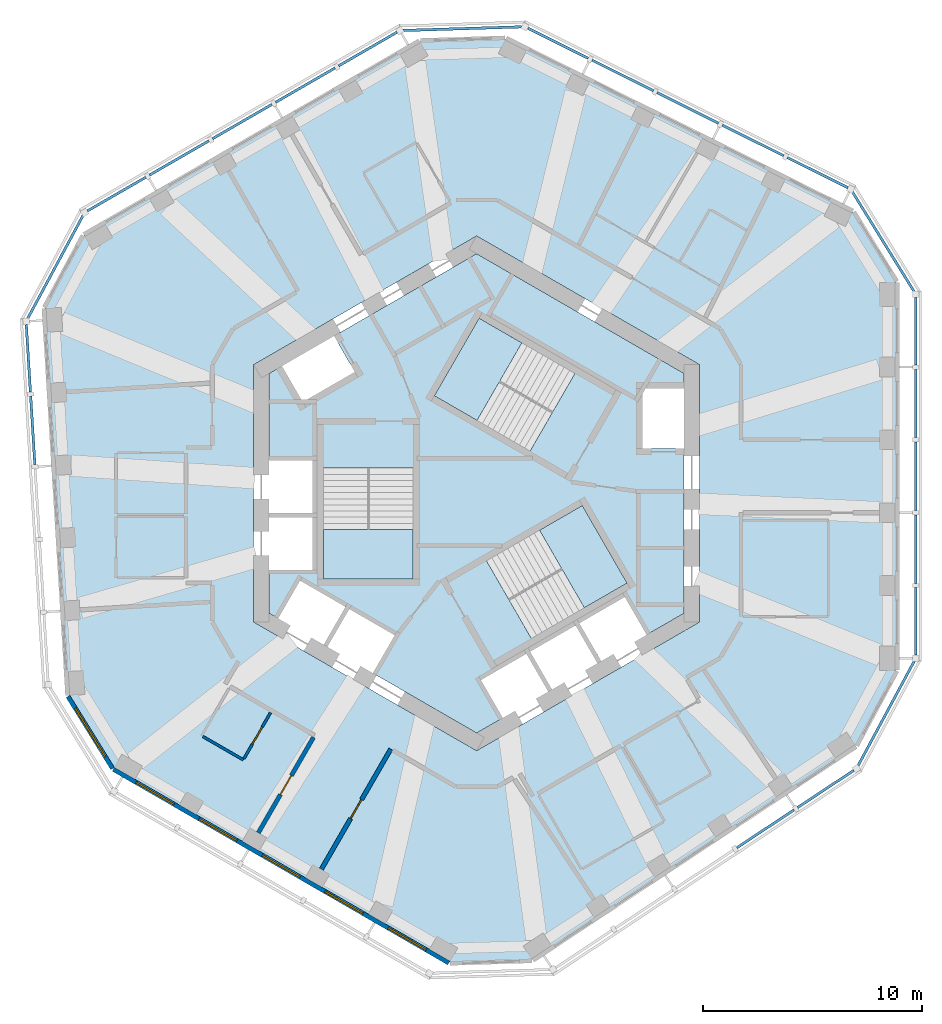
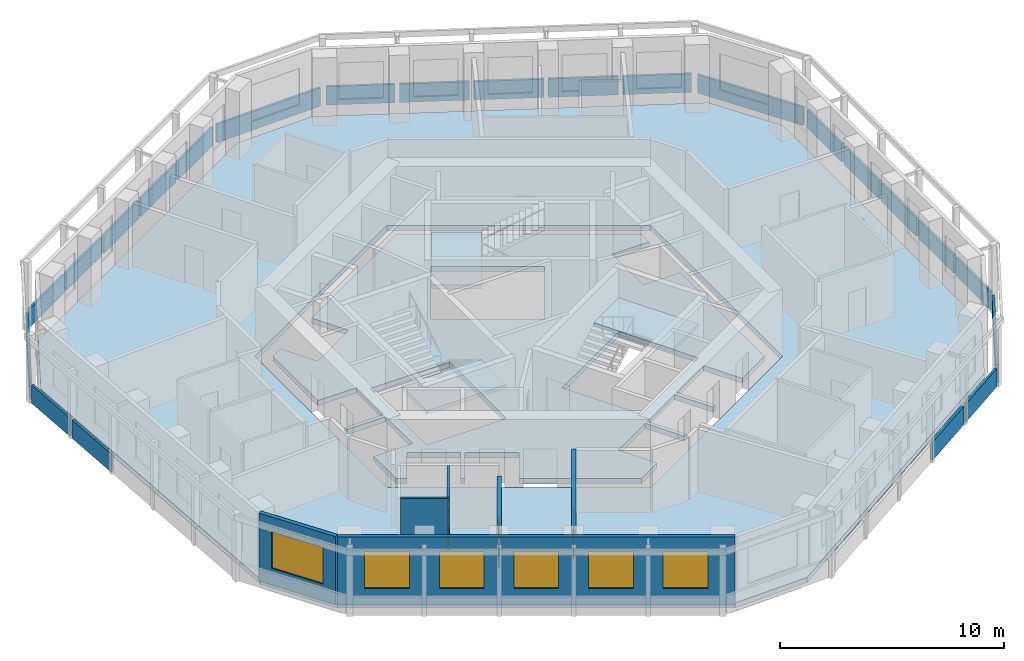
# One storey, part 3 of 11: 23 plates, 6 walls, 6 windows, 5 slabs, 3 doors, 9 openings, 12 elements without a shape of their own.
"""IFC4 building model written with IfcOpenShell, lengths in metres."""

from ifc_helpers import new_model, si_unit, direction, frame, frame_2d, origin, origin_2d, place, context, subcontext, project, spatial, polyline, rectangle, outline, extrude, material, layer, layer_set, type_object, element, fill, aggregate, save


model = new_model("IFC4")

# Units and contexts
model_context = context("Model", 3, precision=1e-05, world=origin(), true_north=direction((0.0, 1.0)))
body_context = subcontext(model_context, "Body", "Model", "MODEL_VIEW")
ifc_project = project(units=[si_unit("LENGTHUNIT", "METRE"), si_unit("AREAUNIT", "SQUARE_METRE"), si_unit("VOLUMEUNIT", "CUBIC_METRE"), si_unit("PLANEANGLEUNIT", "RADIAN"), si_unit("MASSUNIT", "GRAM", prefix="KILO")], contexts=[model_context])

# Site, building, storey
site_placement = place(None, origin())
site = spatial("IfcSite", under=ifc_project, at=site_placement, CompositionType="ELEMENT")
building_placement = place(site_placement, origin())
building = spatial("IfcBuilding", under=site, at=building_placement, Name="Vanh Sen Convention Tower", CompositionType="ELEMENT")
storey_placement = place(building_placement, frame((0.0, 0.0, 270.89990234375)))
storey = spatial("IfcBuildingStorey", under=building, at=storey_placement, Name="L67", CompositionType="ELEMENT", Elevation=270.89990234375)

# Slabs
ifc_material_1 = material(Name="Concrete C40/50", Category="concrete")
ifc_layer_1 = layer(ifc_material_1, 0.280029296875)
ifc_layer_set_1 = layer_set([ifc_layer_1], Name="Concrete C40/50")
slab_type_1 = type_object("IfcSlabType", Name="Core slab 280", PredefinedType="FLOOR", material=ifc_layer_set_1)
slab_1_placement = place(storey_placement, frame((0.0, 0.0, -0.27978515625)))
element("IfcSlab", 1, at=slab_1_placement, inside=storey, type_object=slab_type_1, Name="Core slab L67", PredefinedType="FLOOR", context=body_context, shape_type="SweptSolid", body=[
    extrude(outline(polyline([(0.0, 10.9697265625), (9.5, 5.48486328125), (9.5, 4.800048828125), (7.60009765625, 4.800048828125), (7.60009765625, 2.050048828125), (9.5, 2.050048828125), (9.5, -5.48486328125), (7.781005859375, -6.477294921875), (6.781005859375, -4.7451171875), (4.70263671875, -5.9453125), (5.70263671875, -7.67724609375), (5.529296875, -7.777099609375), (4.529296875, -6.045166015625), (2.450927734375, -7.2451171875), (3.450927734375, -8.977294921875), (3.27783203125, -9.0771484375), (2.27783203125, -7.34521484375), (0.19921875, -8.545166015625), (1.19921875, -10.277099609375), (0.0, -10.9697265625), (-4.75, -8.227294921875), (-3.75, -6.4951171875), (-5.82861328125, -5.295166015625), (-6.82861328125, -7.027099609375), (-7.001708984375, -6.92724609375), (-6.001708984375, -5.1953125), (-8.080078125, -3.9951171875), (-9.080078125, -5.727294921875), (-9.5, -5.48486328125), (-9.5, -3.5), (-7.5, -3.5), (-7.5, -1.10009765625), (-9.5, -1.10009765625), (-9.5, -0.89990234375), (-7.5, -0.89990234375), (-7.5, 1.5), (-9.5, 1.5), (-9.5, 5.48486328125), (-8.906982421875, 5.8271484375), (-7.956787109375, 4.181884765625), (-5.575439453125, 5.556884765625), (-6.525390625, 7.2021484375), (0.0, 10.9697265625)]), holes=[polyline([(-7.0, 1.1494140625), (-7.0, -3.909912109375), (-2.89990234375, -3.909912109375), (-2.89990234375, 1.1494140625), (-7.0, 1.1494140625)]), polyline([(2.504638671875, -6.63671875), (6.88623046875, -4.107177734375), (4.836181640625, -0.556396484375), (0.45458984375, -3.086181640625), (2.504638671875, -6.63671875)]), polyline([(0.11376953125, 8.01708984375), (-1.936279296875, 4.466552734375), (2.4453125, 1.936767578125), (4.495361328125, 5.487548828125), (0.11376953125, 8.01708984375)])]), origin(), (0.0, 0.0, 1.0), 0.27978515625),
])
ifc_layer_2 = layer(ifc_material_1, 0.280029296875)
ifc_layer_set_2 = layer_set([ifc_layer_2], Name="Concrete C40/50")
slab_type_2 = type_object("IfcSlabType", Name="Floor slab 280 REI 120", PredefinedType="FLOOR", material=ifc_layer_set_2)
slab_2_placement = place(storey_placement, frame((0.0, 0.0, -0.27978515625)))
element("IfcSlab", 2, at=slab_2_placement, inside=storey, type_object=slab_type_2, Name="Floor slab L67 tower", PredefinedType="FLOOR", context=body_context, shape_type="SweptSolid", body=[
    extrude(outline(polyline([(19.199951171875, -8.0966796875), (19.199951171875, 9.66162109375), (17.21337890625, 12.871826171875), (1.32080078125, 20.79541015625), (-2.587890625, 20.676025390625), (-17.967041015625, 11.796875), (-19.75390625, 8.471435546875), (-18.669921875, -9.25390625), (-16.612060546875, -12.579345703125), (-1.23291015625, -21.45849609375), (2.54052734375, -21.34326171875), (17.34912109375, -11.541748046875), (19.199951171875, -8.0966796875)]), holes=[polyline([(0.0, 11.77783203125), (-10.199951171875, 5.888916015625), (-10.199951171875, -5.888916015625), (0.0, -11.77783203125), (10.199951171875, -5.888916015625), (10.199951171875, 5.888916015625), (0.0, 11.77783203125)])]), origin(), (0.0, 0.0, 1.0), 0.27978515625),
])

# Curtain wall, plates
ifc_material_2 = material(Name="Concrete C50/60", Category="concrete")
curtain_wall_type = type_object("IfcCurtainWallType", Name="Outer skin office zone", PredefinedType="NOTDEFINED", material=ifc_material_2)
curtain_wall_1_placement = place(storey_placement, origin())
curtain_wall_1 = element("IfcCurtainWall", 3, at=curtain_wall_1_placement, inside=storey, type_object=curtain_wall_type, Name="OUTER SKIN E L67", PredefinedType="NOTDEFINED")
ifc_layer_3 = layer(ifc_material_2, 0.1201171875)
ifc_layer_set_3 = layer_set([ifc_layer_3], Name="Concrete C50/60")
plate_type = type_object("IfcPlateType", Name="Outer skin precast screen panel 120", PredefinedType="CURTAIN_PANEL", material=ifc_layer_set_3)
plate_1_placement = place(storey_placement, frame((20.10009765625, -5.85595703125, 0.0), z_axis=(0.0, 0.0, 1.0), x_axis=(0.0, 1.0, 0.0)))
plate_1 = element("IfcPlate", 4, at=plate_1_placement, type_object=plate_type, Name="OUTER SKIN screen panel E-1", PredefinedType="CURTAIN_PANEL", context=body_context, shape_type="SweptSolid", body=[
    extrude(rectangle(XDim=3.08154296875, YDim=0.1201171875, at=origin_2d()), origin(), (0.0, 0.0, 1.0), 1.0),
])
plate_2_placement = place(storey_placement, frame((20.10009765625, -2.54931640625, 0.0), z_axis=(0.0, 0.0, 1.0), x_axis=(0.0, 1.0, 0.0)))
plate_2 = element("IfcPlate", 5, at=plate_2_placement, type_object=plate_type, Name="OUTER SKIN screen panel E-2", PredefinedType="CURTAIN_PANEL", context=body_context, shape_type="SweptSolid", body=[
    extrude(rectangle(XDim=3.131591796875, YDim=0.1201171875, at=origin_2d()), origin(), (0.0, 0.0, 1.0), 1.0),
])
plate_3_placement = place(storey_placement, frame((20.10009765625, 0.782470703125, 0.0), z_axis=(0.0, 0.0, 1.0), x_axis=(0.0, 1.0, 0.0)))
plate_3 = element("IfcPlate", 6, at=plate_3_placement, type_object=plate_type, Name="OUTER SKIN screen panel E-3", PredefinedType="CURTAIN_PANEL", context=body_context, shape_type="SweptSolid", body=[
    extrude(rectangle(XDim=3.131591796875, YDim=0.1201171875, at=origin_2d()), origin(), (0.0, 0.0, 1.0), 1.0),
])
plate_4_placement = place(storey_placement, frame((20.10009765625, 4.114013671875, 0.0), z_axis=(0.0, 0.0, 1.0), x_axis=(0.0, 1.0, 0.0)))
plate_4 = element("IfcPlate", 7, at=plate_4_placement, type_object=plate_type, Name="OUTER SKIN screen panel E-4", PredefinedType="CURTAIN_PANEL", context=body_context, shape_type="SweptSolid", body=[
    extrude(rectangle(XDim=3.131591796875, YDim=0.1201171875, at=origin_2d()), origin(), (0.0, 0.0, 1.0), 1.0),
])
plate_5_placement = place(storey_placement, frame((20.10009765625, 7.420654296875, 0.0), z_axis=(0.0, 0.0, 1.0), x_axis=(0.0, 1.0, 0.0)))
plate_5 = element("IfcPlate", 8, at=plate_5_placement, type_object=plate_type, Name="OUTER SKIN screen panel E-5", PredefinedType="CURTAIN_PANEL", context=body_context, shape_type="SweptSolid", body=[
    extrude(rectangle(XDim=3.08154296875, YDim=0.1201171875, at=origin_2d()), origin(), (0.0, 0.0, 1.0), 1.0),
])
aggregate(curtain_wall_1, [plate_1, plate_2, plate_3, plate_4, plate_5])

# Curtain wall, plate
curtain_wall_2_placement = place(storey_placement, origin())
curtain_wall_2 = element("IfcCurtainWall", 9, at=curtain_wall_2_placement, inside=storey, type_object=curtain_wall_type, Name="OUTER SKIN CH1 L67", PredefinedType="NOTDEFINED")
plate_6_placement = place(storey_placement, frame((18.611328125, 11.51708984375, 0.0), z_axis=(0.0, 0.0, 1.0), x_axis=(-0.526218376078, 0.850349469734, 0.0)))
plate_6 = element("IfcPlate", 10, at=plate_6_placement, type_object=plate_type, Name="OUTER SKIN screen panel CH1-1", PredefinedType="CURTAIN_PANEL", context=body_context, shape_type="SweptSolid", body=[
    extrude(rectangle(XDim=5.35791015625, YDim=0.1201171875, at=origin_2d()), origin(), (0.0, 0.0, 1.0), 1.0),
])
aggregate(curtain_wall_2, [plate_6])

# Curtain wall, plates
curtain_wall_3_placement = place(storey_placement, origin())
curtain_wall_3 = element("IfcCurtainWall", 11, at=curtain_wall_3_placement, inside=storey, type_object=curtain_wall_type, Name="OUTER SKIN NE L67", PredefinedType="NOTDEFINED")
plate_7_placement = place(storey_placement, frame((15.609619140625, 14.677001953125, 0.0), z_axis=(0.0, 0.0, 1.0), x_axis=(-0.894931246532, 0.446204060919, 0.0)))
plate_7 = element("IfcPlate", 12, at=plate_7_placement, type_object=plate_type, Name="OUTER SKIN screen panel NE-1", PredefinedType="CURTAIN_PANEL", context=body_context, shape_type="SweptSolid", body=[
    extrude(rectangle(XDim=3.081787109375, YDim=0.1201171875, at=origin_2d()), origin(), (0.0, 0.0, 1.0), 1.0),
])
plate_8_placement = place(storey_placement, frame((12.650390625, 16.152587890625, 0.0), z_axis=(0.0, 0.0, 1.0), x_axis=(-0.894931246532, 0.446204060919, 0.0)))
plate_8 = element("IfcPlate", 13, at=plate_8_placement, type_object=plate_type, Name="OUTER SKIN screen panel NE-2", PredefinedType="CURTAIN_PANEL", context=body_context, shape_type="SweptSolid", body=[
    extrude(rectangle(XDim=3.131591796875, YDim=0.1201171875, at=origin_2d()), origin(), (0.0, 0.0, 1.0), 1.0),
])
plate_9_placement = place(storey_placement, frame((9.668701171875, 17.63916015625, 0.0), z_axis=(0.0, 0.0, 1.0), x_axis=(-0.894931246532, 0.446204060919, 0.0)))
plate_9 = element("IfcPlate", 14, at=plate_9_placement, type_object=plate_type, Name="OUTER SKIN screen panel NE-3", PredefinedType="CURTAIN_PANEL", context=body_context, shape_type="SweptSolid", body=[
    extrude(rectangle(XDim=3.131591796875, YDim=0.1201171875, at=origin_2d()), origin(), (0.0, 0.0, 1.0), 1.0),
])
plate_10_placement = place(storey_placement, frame((6.687255859375, 19.125732421875, 0.0), z_axis=(0.0, 0.0, 1.0), x_axis=(-0.89494292782, 0.446180631521, 0.0)))
plate_10 = element("IfcPlate", 15, at=plate_10_placement, type_object=plate_type, Name="OUTER SKIN screen panel NE-4", PredefinedType="CURTAIN_PANEL", context=body_context, shape_type="SweptSolid", body=[
    extrude(rectangle(XDim=3.131591796875, YDim=0.1201171875, at=origin_2d()), origin(), (0.0, 0.0, 1.0), 1.0),
])
plate_11_placement = place(storey_placement, frame((3.727783203125, 20.60107421875, 0.0), z_axis=(0.0, 0.0, 1.0), x_axis=(-0.894931246532, 0.446204060919, 0.0)))
plate_11 = element("IfcPlate", 16, at=plate_11_placement, type_object=plate_type, Name="OUTER SKIN screen panel NE-5", PredefinedType="CURTAIN_PANEL", context=body_context, shape_type="SweptSolid", body=[
    extrude(rectangle(XDim=3.081787109375, YDim=0.1201171875, at=origin_2d()), origin(), (0.0, 0.0, 1.0), 1.0),
])
aggregate(curtain_wall_3, [plate_7, plate_8, plate_9, plate_10, plate_11])

# Curtain wall, plate
curtain_wall_4_placement = place(storey_placement, origin())
curtain_wall_4 = element("IfcCurtainWall", 17, at=curtain_wall_4_placement, inside=storey, type_object=curtain_wall_type, Name="OUTER SKIN CH2 L67", PredefinedType="NOTDEFINED")
plate_12_placement = place(storey_placement, frame((-0.64990234375, 21.26806640625, 0.0), z_axis=(0.0, 0.0, 1.0), x_axis=(-0.99953391058, -0.030528046117, 0.0)))
plate_12 = element("IfcPlate", 18, at=plate_12_placement, type_object=plate_type, Name="OUTER SKIN screen panel CH2-1", PredefinedType="CURTAIN_PANEL", context=body_context, shape_type="SweptSolid", body=[
    extrude(rectangle(XDim=5.431640625, YDim=0.1201171875, at=origin_2d()), origin(), (0.0, 0.0, 1.0), 1.0),
])
aggregate(curtain_wall_4, [plate_12])

# Curtain wall, plates
curtain_wall_5_placement = place(storey_placement, origin())
curtain_wall_5 = element("IfcCurtainWall", 19, at=curtain_wall_5_placement, inside=storey, type_object=curtain_wall_type, Name="OUTER SKIN NW L67", PredefinedType="NOTDEFINED")
plate_13_placement = place(storey_placement, frame((-4.978515625, 20.335205078125, 0.0), z_axis=(0.0, 0.0, 1.0), x_axis=(-0.866015804314, -0.500016626402, 0.0)))
plate_13 = element("IfcPlate", 20, at=plate_13_placement, type_object=plate_type, Name="OUTER SKIN screen panel NW-1", PredefinedType="CURTAIN_PANEL", context=body_context, shape_type="SweptSolid", body=[
    extrude(rectangle(XDim=3.081787109375, YDim=0.1201171875, at=origin_2d()), origin(), (0.0, 0.0, 1.0), 1.0),
])
plate_14_placement = place(storey_placement, frame((-7.84228515625, 18.681640625, 0.0), z_axis=(0.0, 0.0, 1.0), x_axis=(-0.866028894422, -0.49999395399, 0.0)))
plate_14 = element("IfcPlate", 21, at=plate_14_placement, type_object=plate_type, Name="OUTER SKIN screen panel NW-2", PredefinedType="CURTAIN_PANEL", context=body_context, shape_type="SweptSolid", body=[
    extrude(rectangle(XDim=3.131591796875, YDim=0.1201171875, at=origin_2d()), origin(), (0.0, 0.0, 1.0), 1.0),
])
plate_15_placement = place(storey_placement, frame((-10.7275390625, 17.015869140625, 0.0), z_axis=(0.0, 0.0, 1.0), x_axis=(-0.866028894422, -0.49999395399, 0.0)))
plate_15 = element("IfcPlate", 22, at=plate_15_placement, type_object=plate_type, Name="OUTER SKIN screen panel NW-3", PredefinedType="CURTAIN_PANEL", context=body_context, shape_type="SweptSolid", body=[
    extrude(rectangle(XDim=3.131591796875, YDim=0.1201171875, at=origin_2d()), origin(), (0.0, 0.0, 1.0), 1.0),
])
plate_16_placement = place(storey_placement, frame((-13.61279296875, 15.35009765625, 0.0), z_axis=(0.0, 0.0, 1.0), x_axis=(-0.866015804314, -0.500016626402, 0.0)))
plate_16 = element("IfcPlate", 23, at=plate_16_placement, type_object=plate_type, Name="OUTER SKIN screen panel NW-4", PredefinedType="CURTAIN_PANEL", context=body_context, shape_type="SweptSolid", body=[
    extrude(rectangle(XDim=3.131591796875, YDim=0.1201171875, at=origin_2d()), origin(), (0.0, 0.0, 1.0), 1.0),
])
plate_17_placement = place(storey_placement, frame((-16.4765625, 13.69677734375, 0.0), z_axis=(0.0, 0.0, 1.0), x_axis=(-0.866028894422, -0.49999395399, 0.0)))
plate_17 = element("IfcPlate", 24, at=plate_17_placement, type_object=plate_type, Name="OUTER SKIN screen panel NW-5", PredefinedType="CURTAIN_PANEL", context=body_context, shape_type="SweptSolid", body=[
    extrude(rectangle(XDim=3.08154296875, YDim=0.1201171875, at=origin_2d()), origin(), (0.0, 0.0, 1.0), 1.0),
])
aggregate(curtain_wall_5, [plate_13, plate_14, plate_15, plate_16, plate_17])

# Curtain wall, plate
curtain_wall_6_placement = place(storey_placement, origin())
curtain_wall_6 = element("IfcCurtainWall", 25, at=curtain_wall_6_placement, inside=storey, type_object=curtain_wall_type, Name="OUTER SKIN CH3 L67", PredefinedType="NOTDEFINED")
plate_18_placement = place(storey_placement, frame((-19.27978515625, 10.359375, 0.0), z_axis=(0.0, 0.0, 1.0), x_axis=(-0.473324279511, -0.880888259897, 0.0)))
plate_18 = element("IfcPlate", 26, at=plate_18_placement, type_object=plate_type, Name="OUTER SKIN screen panel CH3-1", PredefinedType="CURTAIN_PANEL", context=body_context, shape_type="SweptSolid", body=[
    extrude(rectangle(XDim=5.35791015625, YDim=0.1201171875, at=origin_2d()), origin(), (0.0, 0.0, 1.0), 1.0),
])
aggregate(curtain_wall_6, [plate_18])

# Curtain wall, plates
curtain_wall_7_placement = place(storey_placement, origin())
curtain_wall_7 = element("IfcCurtainWall", 27, at=curtain_wall_7_placement, inside=storey, type_object=curtain_wall_type, Name="OUTER SKIN W L67", PredefinedType="NOTDEFINED")
plate_19_placement = place(storey_placement, frame((-20.515380859375, 6.1796875, 0.0), z_axis=(0.0, 0.0, 1.0), x_axis=(0.061052023682, -0.998134585316, 0.0)))
plate_19 = element("IfcPlate", 28, at=plate_19_placement, type_object=plate_type, Name="OUTER SKIN screen panel W-1", PredefinedType="CURTAIN_PANEL", context=body_context, shape_type="SweptSolid", body=[
    extrude(rectangle(XDim=3.08154296875, YDim=0.1201171875, at=origin_2d()), origin(), (0.0, 0.0, 1.0), 1.0),
])
plate_20_placement = place(storey_placement, frame((-20.313720703125, 2.87939453125, 0.0), z_axis=(0.0, 0.0, 1.0), x_axis=(0.061050281609, -0.998134691871, 0.0)))
plate_20 = element("IfcPlate", 29, at=plate_20_placement, type_object=plate_type, Name="OUTER SKIN screen panel W-2", PredefinedType="CURTAIN_PANEL", context=body_context, shape_type="SweptSolid", body=[
    extrude(rectangle(XDim=3.131591796875, YDim=0.1201171875, at=origin_2d()), origin(), (0.0, 0.0, 1.0), 1.0),
])
aggregate(curtain_wall_7, [plate_19, plate_20])

curtain_wall_8_placement = place(storey_placement, origin())
curtain_wall_8 = element("IfcCurtainWall", 30, at=curtain_wall_8_placement, inside=storey, type_object=curtain_wall_type, Name="OUTER SKIN SE L67", PredefinedType="NOTDEFINED")
plate_21_placement = place(storey_placement, frame((13.2197265625, -15.35400390625, 0.0), z_axis=(0.0, 0.0, 1.0), x_axis=(0.833879078823, 0.551947173108, 0.0)))
plate_21 = element("IfcPlate", 31, at=plate_21_placement, type_object=plate_type, Name="OUTER SKIN screen panel SE-4", PredefinedType="CURTAIN_PANEL", context=body_context, shape_type="SweptSolid", body=[
    extrude(rectangle(XDim=3.131591796875, YDim=0.1201171875, at=origin_2d()), origin(), (0.0, 0.0, 1.0), 1.0),
])
plate_22_placement = place(storey_placement, frame((15.97705078125, -13.529052734375, 0.0), z_axis=(0.0, 0.0, 1.0), x_axis=(0.833879078823, 0.551947173108, 0.0)))
plate_22 = element("IfcPlate", 32, at=plate_22_placement, type_object=plate_type, Name="OUTER SKIN screen panel SE-5", PredefinedType="CURTAIN_PANEL", context=body_context, shape_type="SweptSolid", body=[
    extrude(rectangle(XDim=3.081787109375, YDim=0.1201171875, at=origin_2d()), origin(), (0.0, 0.0, 1.0), 1.0),
])
aggregate(curtain_wall_8, [plate_21, plate_22])

# Curtain wall, plate
curtain_wall_9_placement = place(storey_placement, origin())
curtain_wall_9 = element("IfcCurtainWall", 33, at=curtain_wall_9_placement, inside=storey, type_object=curtain_wall_type, Name="OUTER SKIN CH6 L67", PredefinedType="NOTDEFINED")
plate_23_placement = place(storey_placement, frame((18.743408203125, -10.0712890625, 0.0), z_axis=(0.0, 0.0, 1.0), x_axis=(0.473324279511, 0.880888259897, 0.0)))
plate_23 = element("IfcPlate", 34, at=plate_23_placement, type_object=plate_type, Name="OUTER SKIN screen panel CH6-1", PredefinedType="CURTAIN_PANEL", context=body_context, shape_type="SweptSolid", body=[
    extrude(rectangle(XDim=5.431884765625, YDim=0.1201171875, at=origin_2d()), origin(), (0.0, 0.0, 1.0), 1.0),
])
aggregate(curtain_wall_9, [plate_23])

# Stair, slab
ifc_material_3 = material(Name="Concrete C50/60", Category="concrete")
stair_type_1 = type_object("IfcStairType", Name="Exit stair ST1 22 risers at 168.2", PredefinedType="HALF_TURN_STAIR", material=ifc_material_3)
stair_1_placement = place(storey_placement, origin())
stair_1 = element("IfcStair", 35, at=stair_1_placement, inside=storey, type_object=stair_type_1, Name="Exit stair ST1 L67", PredefinedType="HALF_TURN_STAIR")
ifc_layer_4 = layer(ifc_material_1, 0.199951171875)
ifc_layer_set_4 = layer_set([ifc_layer_4], Name="Concrete C40/50")
slab_type_3 = type_object("IfcSlabType", Name="Stair landing 200", PredefinedType="LANDING", material=ifc_layer_set_4)
slab_3_placement = place(storey_placement, frame((0.0, 0.0, 1.650146484375)))
slab_3 = element("IfcSlab", 36, at=slab_3_placement, type_object=slab_type_3, Name="ST1 landing 1", PredefinedType="LANDING", context=body_context, shape_type="SweptSolid", body=[
    extrude(outline(polyline([(2.07177734375, 6.88671875), (0.11376953125, 8.01708984375), (-1.936279296875, 4.466552734375), (0.021728515625, 3.336181640625), (2.07177734375, 6.88671875)])), origin(), (0.0, 0.0, 1.0), 0.199951171875),
])
aggregate(stair_1, [slab_3])

stair_type_2 = type_object("IfcStairType", Name="Exit stair ST2 22 risers at 168.2", PredefinedType="HALF_TURN_STAIR", material=ifc_material_3)
stair_2_placement = place(storey_placement, origin())
stair_2 = element("IfcStair", 37, at=stair_2_placement, inside=storey, type_object=stair_type_2, Name="Exit stair ST2 L67", PredefinedType="HALF_TURN_STAIR")
slab_4_placement = place(storey_placement, frame((0.0, 0.0, 1.650146484375)))
slab_4 = element("IfcSlab", 38, at=slab_4_placement, type_object=slab_type_3, Name="ST2 landing 1", PredefinedType="LANDING", context=body_context, shape_type="SweptSolid", body=[
    extrude(outline(polyline([(-7.0, -1.6494140625), (-7.0, -3.909912109375), (-2.89990234375, -3.909912109375), (-2.89990234375, -1.6494140625), (-7.0, -1.6494140625)])), origin(), (0.0, 0.0, 1.0), 0.199951171875),
])
aggregate(stair_2, [slab_4])

stair_type_3 = type_object("IfcStairType", Name="Exit stair ST3 22 risers at 168.2", PredefinedType="HALF_TURN_STAIR", material=ifc_material_3)
stair_3_placement = place(storey_placement, origin())
stair_3 = element("IfcStair", 39, at=stair_3_placement, inside=storey, type_object=stair_type_3, Name="Exit stair ST3 L67", PredefinedType="HALF_TURN_STAIR")
slab_5_placement = place(storey_placement, frame((0.0, 0.0, 1.650146484375)))
slab_5 = element("IfcSlab", 40, at=slab_5_placement, type_object=slab_type_3, Name="ST3 landing 1", PredefinedType="LANDING", context=body_context, shape_type="SweptSolid", body=[
    extrude(outline(polyline([(4.92822265625, -5.237548828125), (6.88623046875, -4.107177734375), (4.836181640625, -0.556396484375), (2.87841796875, -1.686767578125), (4.92822265625, -5.237548828125)])), origin(), (0.0, 0.0, 1.0), 0.199951171875),
])
aggregate(stair_3, [slab_5])

# Wall
ifc_material_4 = material(Name="Moisture-resistant gypsum board on steel studs", Category="steel")
ifc_layer_5 = layer(ifc_material_4, 0.1201171875)
ifc_layer_set_5 = layer_set([ifc_layer_5], Name="Moisture-resistant gypsum board on steel studs")
wall_type_1 = type_object("IfcWallType", Name="Bathroom partition 120", PredefinedType="PARTITIONING", material=ifc_layer_set_5)
wall_1_placement = place(storey_placement, frame((-10.67919921875, -12.1953125, 0.0), z_axis=(0.0, 0.0, 1.0), x_axis=(-0.866037418504, 0.499979189318, 0.0)))
element("IfcWall", 41, at=wall_1_placement, inside=storey, type_object=wall_type_1, Name="Bathroom partition 120", PredefinedType="PARTITIONING", context=body_context, shape_type="SweptSolid", body=[
    extrude(rectangle(XDim=2.14013671875, YDim=0.1201171875, at=frame_2d((1.070068359375, 0.0))), origin(), (0.0, 0.0, 1.0), 3.420166015625),
])

# Wall, opening, door
wall_2_placement = place(storey_placement, frame((-9.42919921875, -10.030029296875, 0.0), z_axis=(0.0, 0.0, 1.0), x_axis=(-0.500034220881, -0.866005645448, 0.0)))
wall_2 = element("IfcWall", 42, at=wall_2_placement, inside=storey, type_object=wall_type_1, Name="Bathroom partition 120", PredefinedType="PARTITIONING", context=body_context, shape_type="SweptSolid", body=[
    extrude(rectangle(XDim=2.440185546875, YDim=0.1201171875, at=frame_2d((1.22021484375, 0.0))), origin(), (0.0, 0.0, 1.0), 3.420166015625),
])
opening_1_placement = place(wall_2_placement, frame((0.77001953125, 0.0, 0.0)))
opening_1 = element("IfcOpeningElement", 43, at=opening_1_placement, cuts=wall_2, Name="Opening D67113", PredefinedType="OPENING", context=body_context, shape_type="SweptSolid", body=[
    extrude(rectangle(XDim=0.89990234375, YDim=2.10009765625, at=frame_2d((0.449951171875, 1.050048828125))), frame((0.0, 0.070068359375, 0.0), z_axis=(0.0, -1.0, 0.0), x_axis=(1.0, 0.0, 0.0)), (0.0, 0.0, 1.0), 0.14013671875),
])
ifc_material_5 = material(Name="Laminate door in steel frame", Category="steel")
door_type_1 = type_object("IfcDoorType", Name="Room internal door 900", OperationType="SINGLE_SWING_LEFT", PredefinedType="DOOR", material=ifc_material_5)
door_1_placement = place(opening_1_placement, origin())
door_1 = element("IfcDoor", 44, at=door_1_placement, inside=storey, type_object=door_type_1, Name="Internal room door D67113", OperationType="SINGLE_SWING_LEFT", OverallHeight=2.10009765625, OverallWidth=0.89990234375, PredefinedType="DOOR", context=body_context, shape_type="SweptSolid", body=[
    extrude(rectangle(XDim=0.89990234375, YDim=2.10009765625, at=frame_2d((0.449951171875, 1.050048828125))), frame((0.0, 0.02490234375, 0.0), z_axis=(0.0, -1.0, 0.0), x_axis=(1.0, 0.0, 0.0)), (0.0, 0.0, 1.0), 0.050048828125),
])
fill(opening_1, door_1)

ifc_material_6 = material(Name="Gypsum board on steel studs with mineral wool", Category="steel")
ifc_layer_6 = layer(ifc_material_6, 0.199951171875)
ifc_layer_set_6 = layer_set([ifc_layer_6], Name="Gypsum board on steel studs with mineral wool")
wall_type_2 = type_object("IfcWallType", Name="Corridor partition wall 200", PredefinedType="PARTITIONING", material=ifc_layer_set_6)
wall_3_placement = place(storey_placement, frame((-9.989990234375, -15.53662109375, 0.0), z_axis=(0.0, 0.0, 1.0), x_axis=(0.499966611936, 0.866044679534, 0.0)))
wall_3 = element("IfcWall", 45, at=wall_3_placement, inside=storey, type_object=wall_type_2, Name="Corridor partition wall 200", PredefinedType="PARTITIONING", context=body_context, shape_type="SweptSolid", body=[
    extrude(rectangle(XDim=5.049072265625, YDim=0.199951171875, at=frame_2d((2.5244140625, 0.0))), origin(), (0.0, 0.0, 1.0), 2.8701171875),
])
opening_2_placement = place(wall_3_placement, frame((2.0244140625, 0.0, 0.0)))
opening_2 = element("IfcOpeningElement", 46, at=opening_2_placement, cuts=wall_3, Name="Opening D67112", PredefinedType="OPENING", context=body_context, shape_type="SweptSolid", body=[
    extrude(rectangle(XDim=1.0, YDim=2.10009765625, at=frame_2d((0.5, 1.050048828125))), frame((0.0, 0.10986328125, 0.0), z_axis=(0.0, -1.0, 0.0), x_axis=(1.0, 0.0, 0.0)), (0.0, 0.0, 1.0), 0.219970703125),
])
ifc_material_7 = material(Name="Glazed fire door in steel frame", Category="steel")
door_type_2 = type_object("IfcDoorType", Name="Tenant entrance door 1000", OperationType="SINGLE_SWING_LEFT", PredefinedType="DOOR", material=ifc_material_7)
door_2_placement = place(opening_2_placement, origin())
door_2 = element("IfcDoor", 47, at=door_2_placement, inside=storey, type_object=door_type_2, Name="Tenant suite entrance door D67112", OperationType="SINGLE_SWING_LEFT", OverallHeight=2.10009765625, OverallWidth=1.0, PredefinedType="DOOR", context=body_context, shape_type="SweptSolid", body=[
    extrude(rectangle(XDim=1.0, YDim=2.10009765625, at=frame_2d((0.5, 1.050048828125))), frame((0.0, 0.02490234375, 0.0), z_axis=(0.0, -1.0, 0.0), x_axis=(1.0, 0.0, 0.0)), (0.0, 0.0, 1.0), 0.050048828125),
])
fill(opening_2, door_2)

wall_4_placement = place(storey_placement, frame((-7.104736328125, -17.202392578125, 0.0), z_axis=(0.0, 0.0, 1.0), x_axis=(0.499988692146, 0.866031932279, 0.0)))
wall_4 = element("IfcWall", 48, at=wall_4_placement, inside=storey, type_object=wall_type_2, Name="Corridor partition wall 200", PredefinedType="PARTITIONING", context=body_context, shape_type="SweptSolid", body=[
    extrude(rectangle(XDim=6.350341796875, YDim=0.199951171875, at=frame_2d((3.17529296875, 0.0))), origin(), (0.0, 0.0, 1.0), 3.420166015625),
])
opening_3_placement = place(wall_4_placement, frame((2.675048828125, 0.0, 0.0)))
opening_3 = element("IfcOpeningElement", 49, at=opening_3_placement, cuts=wall_4, Name="Opening D67114", PredefinedType="OPENING", context=body_context, shape_type="SweptSolid", body=[
    extrude(rectangle(XDim=1.0, YDim=2.10009765625, at=frame_2d((0.5, 1.050048828125))), frame((0.0, 0.10986328125, 0.0), z_axis=(0.0, -1.0, 0.0), x_axis=(1.0, 0.0, 0.0)), (0.0, 0.0, 1.0), 0.219970703125),
])
door_3_placement = place(opening_3_placement, origin())
door_3 = element("IfcDoor", 50, at=door_3_placement, inside=storey, type_object=door_type_2, Name="Tenant suite entrance door D67114", OperationType="SINGLE_SWING_LEFT", OverallHeight=2.10009765625, OverallWidth=1.0, PredefinedType="DOOR", context=body_context, shape_type="SweptSolid", body=[
    extrude(rectangle(XDim=1.0, YDim=2.10009765625, at=frame_2d((0.5, 1.050048828125))), frame((0.0, 0.02490234375, 0.0), z_axis=(0.0, -1.0, 0.0), x_axis=(1.0, 0.0, 0.0)), (0.0, 0.0, 1.0), 0.050048828125),
])
fill(opening_3, door_3)

# Wall, opening, window
ifc_material_8 = material(Name="Insulated lightweight infill wall")
ifc_layer_7 = layer(ifc_material_8, 0.199951171875)
ifc_layer_set_7 = layer_set([ifc_layer_7], Name="Insulated lightweight infill wall")
wall_type_3 = type_object("IfcWallType", Name="External wall 200", PredefinedType="STANDARD", material=ifc_layer_set_7)
wall_5_placement = place(storey_placement, frame((-18.705810546875, -9.290771484375, 0.0), z_axis=(0.0, 0.0, 1.0), x_axis=(0.526209683648, -0.850354848775, 0.0)))
wall_5 = element("IfcWall", 51, at=wall_5_placement, inside=storey, type_object=wall_type_3, Name="External wall CH4 L67", PredefinedType="STANDARD", context=body_context, shape_type="SweptSolid", body=[
    extrude(rectangle(XDim=3.8857421875, YDim=0.199951171875, at=frame_2d((1.94287109375, 0.0))), origin(), (0.0, 0.0, 1.0), 3.7001953125),
])
opening_4_placement = place(wall_5_placement, frame((0.642822265625, 0.0, 0.89990234375)))
opening_4 = element("IfcOpeningElement", 52, at=opening_4_placement, cuts=wall_5, Name="Opening WO6-CH41", PredefinedType="OPENING", context=body_context, shape_type="SweptSolid", body=[
    extrude(rectangle(XDim=2.60009765625, YDim=2.0, at=frame_2d((1.300048828125, 1.0))), frame((0.0, 0.10986328125, 0.0), z_axis=(0.0, -1.0, 0.0), x_axis=(1.0, 0.0, 0.0)), (0.0, 0.0, 1.0), 0.219970703125),
])
ifc_material_9 = material(Name="Aluminium frame with clear low-emissivity glass", Category="aluminium")
window_type_1 = type_object("IfcWindowType", Name="Office window 2600 x 2000", PartitioningType="SINGLE_PANEL", PredefinedType="WINDOW", material=ifc_material_9)
window_1_placement = place(opening_4_placement, origin())
window_1 = element("IfcWindow", 53, at=window_1_placement, inside=storey, type_object=window_type_1, Name="Window WO6-CH41", OverallHeight=2.0, OverallWidth=2.60009765625, PartitioningType="SINGLE_PANEL", PredefinedType="WINDOW", context=body_context, shape_type="SweptSolid", body=[
    extrude(rectangle(XDim=2.60009765625, YDim=2.0, at=frame_2d((1.300048828125, 1.0))), frame((0.0, 0.030029296875, 0.0), z_axis=(0.0, -1.0, 0.0), x_axis=(1.0, 0.0, 0.0)), (0.0, 0.0, 1.0), 0.06005859375),
])
fill(opening_4, window_1)

# Wall, openings, windows
wall_6_placement = place(storey_placement, frame((-16.626220703125, -12.62890625, 0.0), z_axis=(0.0, 0.0, 1.0), x_axis=(0.866026460444, -0.499998169808, 0.0)))
wall_6 = element("IfcWall", 54, at=wall_6_placement, inside=storey, type_object=wall_type_3, Name="External wall SW L67", PredefinedType="STANDARD", context=body_context, shape_type="SweptSolid", body=[
    extrude(rectangle(XDim=17.7314453125, YDim=0.199951171875, at=frame_2d((8.86572265625, 0.0))), origin(), (0.0, 0.0, 1.0), 3.7001953125),
])
opening_5_placement = place(wall_6_placement, frame((1.203125, 0.0, 0.89990234375)))
opening_5 = element("IfcOpeningElement", 55, at=opening_5_placement, cuts=wall_6, Name="Opening WO5-SW1", PredefinedType="OPENING", context=body_context, shape_type="SweptSolid", body=[
    extrude(rectangle(XDim=2.0, YDim=2.0, at=frame_2d((1.0, 1.0))), frame((0.0, 0.10986328125, 0.0), z_axis=(0.0, -1.0, 0.0), x_axis=(1.0, 0.0, 0.0)), (0.0, 0.0, 1.0), 0.219970703125),
])
opening_6_placement = place(wall_6_placement, frame((4.534912109375, 0.0, 0.89990234375)))
opening_6 = element("IfcOpeningElement", 56, at=opening_6_placement, cuts=wall_6, Name="Opening WO5-SW2", PredefinedType="OPENING", context=body_context, shape_type="SweptSolid", body=[
    extrude(rectangle(XDim=2.0, YDim=2.0, at=frame_2d((1.0, 1.0))), frame((0.0, 0.10986328125, 0.0), z_axis=(0.0, -1.0, 0.0), x_axis=(1.0, 0.0, 0.0)), (0.0, 0.0, 1.0), 0.219970703125),
])
opening_7_placement = place(wall_6_placement, frame((7.86669921875, 0.0, 0.89990234375)))
opening_7 = element("IfcOpeningElement", 57, at=opening_7_placement, cuts=wall_6, Name="Opening WO5-SW3", PredefinedType="OPENING", context=body_context, shape_type="SweptSolid", body=[
    extrude(rectangle(XDim=2.0, YDim=2.0, at=frame_2d((1.0, 1.0))), frame((0.0, 0.10986328125, 0.0), z_axis=(0.0, -1.0, 0.0), x_axis=(1.0, 0.0, 0.0)), (0.0, 0.0, 1.0), 0.219970703125),
])
opening_8_placement = place(wall_6_placement, frame((11.1982421875, 0.0, 0.89990234375)))
opening_8 = element("IfcOpeningElement", 58, at=opening_8_placement, cuts=wall_6, Name="Opening WO5-SW4", PredefinedType="OPENING", context=body_context, shape_type="SweptSolid", body=[
    extrude(rectangle(XDim=2.0, YDim=2.0, at=frame_2d((1.0, 1.0))), frame((0.0, 0.10986328125, 0.0), z_axis=(0.0, -1.0, 0.0), x_axis=(1.0, 0.0, 0.0)), (0.0, 0.0, 1.0), 0.219970703125),
])
opening_9_placement = place(wall_6_placement, frame((14.52978515625, 0.0, 0.89990234375)))
opening_9 = element("IfcOpeningElement", 59, at=opening_9_placement, cuts=wall_6, Name="Opening WO5-SW5", PredefinedType="OPENING", context=body_context, shape_type="SweptSolid", body=[
    extrude(rectangle(XDim=2.0, YDim=2.0, at=frame_2d((1.0, 1.0))), frame((0.0, 0.10986328125, 0.0), z_axis=(0.0, -1.0, 0.0), x_axis=(1.0, 0.0, 0.0)), (0.0, 0.0, 1.0), 0.219970703125),
])
window_type_2 = type_object("IfcWindowType", Name="Office window 2000 x 2000", PartitioningType="SINGLE_PANEL", PredefinedType="WINDOW", material=ifc_material_9)
window_2_placement = place(opening_5_placement, origin())
window_2 = element("IfcWindow", 60, at=window_2_placement, inside=storey, type_object=window_type_2, Name="Window WO5-SW1", OverallHeight=2.0, OverallWidth=2.0, PartitioningType="SINGLE_PANEL", PredefinedType="WINDOW", context=body_context, shape_type="SweptSolid", body=[
    extrude(rectangle(XDim=2.0, YDim=2.0, at=frame_2d((1.0, 1.0))), frame((0.0, 0.030029296875, 0.0), z_axis=(0.0, -1.0, 0.0), x_axis=(1.0, 0.0, 0.0)), (0.0, 0.0, 1.0), 0.06005859375),
])
fill(opening_5, window_2)
window_3_placement = place(opening_6_placement, origin())
window_3 = element("IfcWindow", 61, at=window_3_placement, inside=storey, type_object=window_type_2, Name="Window WO5-SW2", OverallHeight=2.0, OverallWidth=2.0, PartitioningType="SINGLE_PANEL", PredefinedType="WINDOW", context=body_context, shape_type="SweptSolid", body=[
    extrude(rectangle(XDim=2.0, YDim=2.0, at=frame_2d((1.0, 1.0))), frame((0.0, 0.030029296875, 0.0), z_axis=(0.0, -1.0, 0.0), x_axis=(1.0, 0.0, 0.0)), (0.0, 0.0, 1.0), 0.06005859375),
])
fill(opening_6, window_3)
window_4_placement = place(opening_7_placement, origin())
window_4 = element("IfcWindow", 62, at=window_4_placement, inside=storey, type_object=window_type_2, Name="Window WO5-SW3", OverallHeight=2.0, OverallWidth=2.0, PartitioningType="SINGLE_PANEL", PredefinedType="WINDOW", context=body_context, shape_type="SweptSolid", body=[
    extrude(rectangle(XDim=2.0, YDim=2.0, at=frame_2d((1.0, 1.0))), frame((0.0, 0.030029296875, 0.0), z_axis=(0.0, -1.0, 0.0), x_axis=(1.0, 0.0, 0.0)), (0.0, 0.0, 1.0), 0.06005859375),
])
fill(opening_7, window_4)
window_5_placement = place(opening_8_placement, origin())
window_5 = element("IfcWindow", 63, at=window_5_placement, inside=storey, type_object=window_type_2, Name="Window WO5-SW4", OverallHeight=2.0, OverallWidth=2.0, PartitioningType="SINGLE_PANEL", PredefinedType="WINDOW", context=body_context, shape_type="SweptSolid", body=[
    extrude(rectangle(XDim=2.0, YDim=2.0, at=frame_2d((1.0, 1.0))), frame((0.0, 0.030029296875, 0.0), z_axis=(0.0, -1.0, 0.0), x_axis=(1.0, 0.0, 0.0)), (0.0, 0.0, 1.0), 0.06005859375),
])
fill(opening_8, window_5)
window_6_placement = place(opening_9_placement, origin())
window_6 = element("IfcWindow", 64, at=window_6_placement, inside=storey, type_object=window_type_2, Name="Window WO5-SW5", OverallHeight=2.0, OverallWidth=2.0, PartitioningType="SINGLE_PANEL", PredefinedType="WINDOW", context=body_context, shape_type="SweptSolid", body=[
    extrude(rectangle(XDim=2.0, YDim=2.0, at=frame_2d((1.0, 1.0))), frame((0.0, 0.030029296875, 0.0), z_axis=(0.0, -1.0, 0.0), x_axis=(1.0, 0.0, 0.0)), (0.0, 0.0, 1.0), 0.06005859375),
])
fill(opening_9, window_6)

save(model, "model.ifc")
